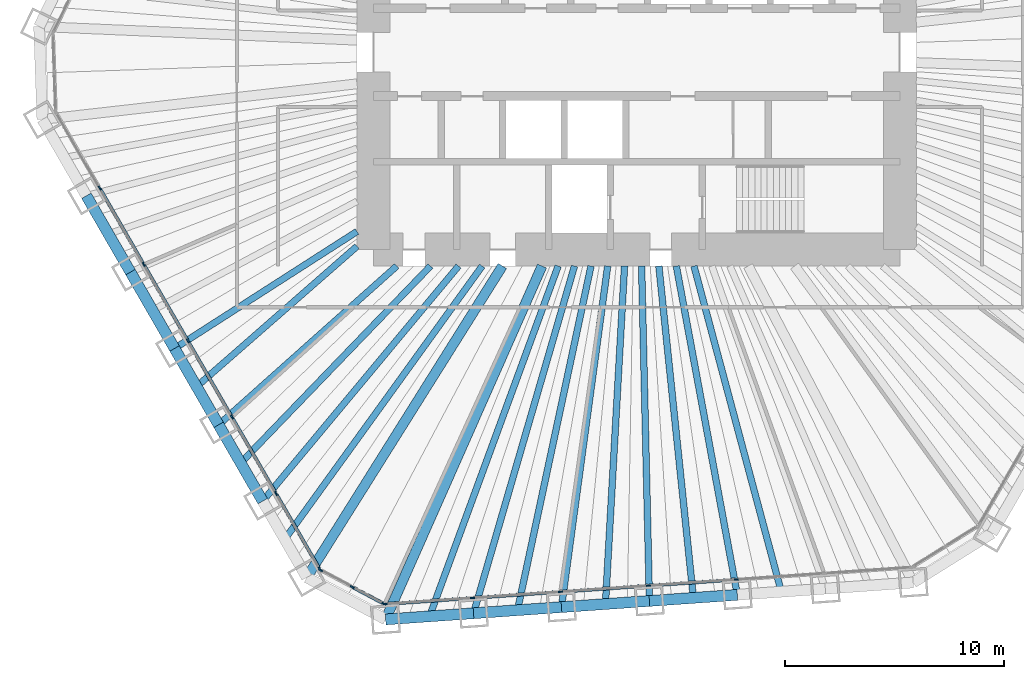
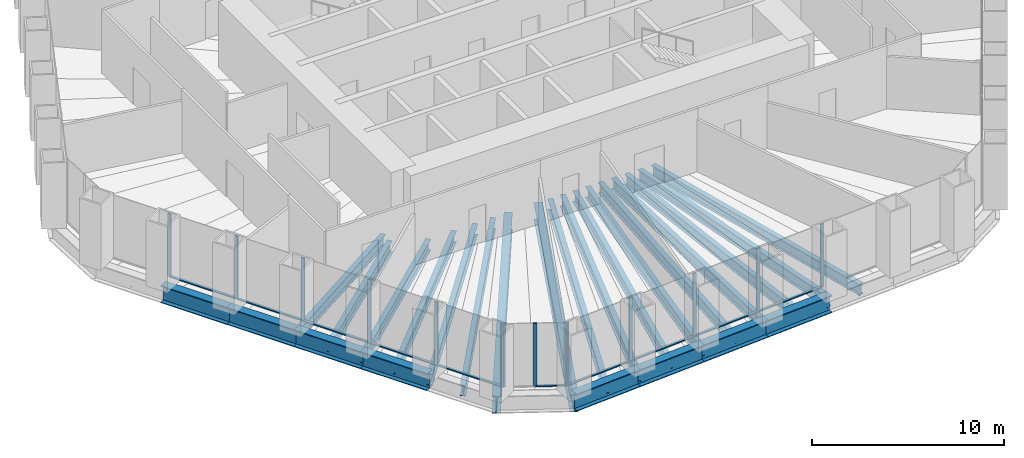
# One storey, part 2 of 13: 25 beams, 24 members, 3 elements without a shape of their own.
"""IFC4 building model written with IfcOpenShell, lengths in metres."""

from ifc_helpers import new_model, si_unit, direction, frame, origin, origin_2d, place, context, subcontext, project, spatial, rectangle, i_section, extrude, material, material_profile, profile_set, type_object, element, aggregate, save


model = new_model("IFC4")

# Units and contexts
model_context = context("Model", 3, precision=1e-05, world=origin(), true_north=direction((0.0, 1.0)))
body_context = subcontext(model_context, "Body", "Model", "MODEL_VIEW")
ifc_project = project(units=[si_unit("LENGTHUNIT", "METRE"), si_unit("AREAUNIT", "SQUARE_METRE"), si_unit("VOLUMEUNIT", "CUBIC_METRE"), si_unit("PLANEANGLEUNIT", "RADIAN"), si_unit("MASSUNIT", "GRAM", prefix="KILO")], contexts=[model_context])

# Site, building, storey
site_placement = place(None, origin())
site = spatial("IfcSite", under=ifc_project, at=site_placement, CompositionType="ELEMENT")
building_placement = place(site_placement, origin())
building = spatial("IfcBuilding", under=site, at=building_placement, Name="Qingtian Harvest Tower", CompositionType="ELEMENT")
storey_placement = place(building_placement, frame((0.0, 0.0, 128.199951171875)))
storey = spatial("IfcBuildingStorey", under=building, at=storey_placement, Name="L26", CompositionType="ELEMENT", Elevation=128.199951171875)

# Beams
ifc_material_1 = material(Name="Steel SM570MC", Category="steel")
ifc_material_profile_1 = material_profile(ifc_material_1, i_section(OverallWidth=0.449951171875, OverallDepth=1.10009765625, WebThickness=0.02197265625, FlangeThickness=0.044921875, at=origin_2d()), Name="H1100x450x22x45")
ifc_profile_set_1 = profile_set([ifc_material_profile_1], Name="Steel SM570MC")
beam_type_1 = type_object("IfcBeamType", Name="Corner floor beam FB8 H1100x450x22x45", PredefinedType="BEAM", material=ifc_profile_set_1)
beam_1_placement = place(storey_placement, frame((-11.445556640625, -25.861328125, -0.719970703125), z_axis=(0.404705702755, 0.914446988161, 0.0), x_axis=(-0.914446988161, 0.404705702755, 0.0)))
element("IfcBeam", 1, at=beam_1_placement, inside=storey, type_object=beam_type_1, Name="Floor beam FB8 S6", PredefinedType="BEAM", context=body_context, shape_type="SweptSolid", body=[
    extrude(i_section(OverallWidth=0.449951171875, OverallDepth=1.10009765625, WebThickness=0.02197265625, FlangeThickness=0.044921875, at=origin_2d()), origin(), (0.0, 0.0, 1.0), 17.61865234375),
])
beam_2_placement = place(storey_placement, frame((-15.039794921875, -23.950439453125, -0.719970703125), z_axis=(0.531797274443, 0.846871689747, 0.0), x_axis=(-0.846871689747, 0.531797274443, 0.0)))
element("IfcBeam", 2, at=beam_2_placement, inside=storey, type_object=beam_type_1, Name="Floor beam FB8 SW0", PredefinedType="BEAM", context=body_context, shape_type="SweptSolid", body=[
    extrude(i_section(OverallWidth=0.449951171875, OverallDepth=1.10009765625, WebThickness=0.02197265625, FlangeThickness=0.044921875, at=origin_2d()), origin(), (0.0, 0.0, 1.0), 16.76806640625),
])
ifc_material_2 = material(Name="Steel SN490B", Category="steel")
ifc_material_profile_2 = material_profile(ifc_material_2, i_section(OverallWidth=0.300048828125, OverallDepth=0.75, WebThickness=0.013916015625, FlangeThickness=0.02490234375, at=origin_2d()), Name="H750x300x14x25")
ifc_profile_set_2 = profile_set([ifc_material_profile_2], Name="Steel SN490B")
beam_type_2 = type_object("IfcBeamType", Name="Floor beam FB12 H750x300x14x25", PredefinedType="BEAM", material=ifc_profile_set_2)
beam_3_placement = place(storey_placement, frame((-7.436279296875, -25.5810546875, -0.544921875), z_axis=(0.279142362954, 0.960249728562, 0.0), x_axis=(-0.960249728562, 0.279142362954, 0.0)))
element("IfcBeam", 3, at=beam_3_placement, inside=storey, type_object=beam_type_2, Name="Floor beam FB12 S5", PredefinedType="BEAM", context=body_context, shape_type="SweptSolid", body=[
    extrude(i_section(OverallWidth=0.300048828125, OverallDepth=0.75, WebThickness=0.013916015625, FlangeThickness=0.02490234375, at=origin_2d()), origin(), (0.0, 0.0, 1.0), 16.486328125),
])
ifc_material_3 = material(Name="Steel SN490B", Category="steel")
ifc_material_profile_3 = material_profile(ifc_material_3, i_section(OverallWidth=0.300048828125, OverallDepth=0.699951171875, WebThickness=0.012939453125, FlangeThickness=0.02392578125, at=origin_2d()), Name="H700x300x13x24")
ifc_profile_set_3 = profile_set([ifc_material_profile_3], Name="Steel SN490B")
beam_type_3 = type_object("IfcBeamType", Name="Floor beam FB2 H700x300x13x24", PredefinedType="BEAM", material=ifc_profile_set_3)
beam_4_placement = place(storey_placement, frame((4.591552734375, -24.739990234375, -0.52001953125), z_axis=(-0.182473442032, 0.983210782565, 0.0), x_axis=(-0.983210782565, -0.182473442032, 0.0)))
element("IfcBeam", 4, at=beam_4_placement, inside=storey, type_object=beam_type_3, Name="Floor beam FB2 S2", PredefinedType="BEAM", context=body_context, shape_type="SweptSolid", body=[
    extrude(i_section(OverallWidth=0.300048828125, OverallDepth=0.699951171875, WebThickness=0.012939453125, FlangeThickness=0.02392578125, at=origin_2d()), origin(), (0.0, 0.0, 1.0), 15.245849609375),
])
beam_5_placement = place(storey_placement, frame((0.582275390625, -25.020263671875, -0.52001953125), z_axis=(-0.023272189962, 0.999729165912, 0.0), x_axis=(-0.999729165912, -0.023272189962, 0.0)))
element("IfcBeam", 5, at=beam_5_placement, inside=storey, type_object=beam_type_3, Name="Floor beam FB2 S3", PredefinedType="BEAM", context=body_context, shape_type="SweptSolid", body=[
    extrude(i_section(OverallWidth=0.300048828125, OverallDepth=0.699951171875, WebThickness=0.012939453125, FlangeThickness=0.02392578125, at=origin_2d()), origin(), (0.0, 0.0, 1.0), 15.2744140625),
])
beam_6_placement = place(storey_placement, frame((-3.427001953125, -25.30078125, -0.52001953125), z_axis=(0.134230066005, 0.990950195207, 0.0), x_axis=(-0.990950195207, 0.134230066005, 0.0)))
element("IfcBeam", 6, at=beam_6_placement, inside=storey, type_object=beam_type_3, Name="Floor beam FB2 S4", PredefinedType="BEAM", context=body_context, shape_type="SweptSolid", body=[
    extrude(i_section(OverallWidth=0.300048828125, OverallDepth=0.699951171875, WebThickness=0.012939453125, FlangeThickness=0.02392578125, at=origin_2d()), origin(), (0.0, 0.0, 1.0), 15.69287109375),
])
beam_7_placement = place(storey_placement, frame((-17.04931640625, -20.4697265625, -0.52001953125), z_axis=(0.639988150605, 0.768384778015, 0.0), x_axis=(-0.768384778015, 0.639988150605, 0.0)))
element("IfcBeam", 7, at=beam_7_placement, inside=storey, type_object=beam_type_3, Name="Floor beam FB2 SW1", PredefinedType="BEAM", context=body_context, shape_type="SweptSolid", body=[
    extrude(i_section(OverallWidth=0.300048828125, OverallDepth=0.699951171875, WebThickness=0.012939453125, FlangeThickness=0.02392578125, at=origin_2d()), origin(), (0.0, 0.0, 1.0), 13.950927734375),
])
beam_8_placement = place(storey_placement, frame((-19.058837890625, -16.989013671875, -0.52001953125), z_axis=(0.746483707908, 0.665403692376, 0.0), x_axis=(-0.665403692376, 0.746483707908, 0.0)))
element("IfcBeam", 8, at=beam_8_placement, inside=storey, type_object=beam_type_3, Name="Floor beam FB2 SW2", PredefinedType="BEAM", context=body_context, shape_type="SweptSolid", body=[
    extrude(i_section(OverallWidth=0.300048828125, OverallDepth=0.699951171875, WebThickness=0.012939453125, FlangeThickness=0.02392578125, at=origin_2d()), origin(), (0.0, 0.0, 1.0), 10.879150390625),
])
beam_9_placement = place(storey_placement, frame((-21.068359375, -13.508544921875, -0.52001953125), z_axis=(0.841823295753, 0.539753220211, 0.0), x_axis=(-0.539753220211, 0.841823295753, 0.0)))
element("IfcBeam", 9, at=beam_9_placement, inside=storey, type_object=beam_type_3, Name="Floor beam FB2 SW3", PredefinedType="BEAM", context=body_context, shape_type="SweptSolid", body=[
    extrude(i_section(OverallWidth=0.300048828125, OverallDepth=0.699951171875, WebThickness=0.012939453125, FlangeThickness=0.02392578125, at=origin_2d()), origin(), (0.0, 0.0, 1.0), 9.88134765625),
])
ifc_material_4 = material(Name="Steel SN490B", Category="steel")
ifc_material_profile_4 = material_profile(ifc_material_4, i_section(OverallWidth=0.300048828125, OverallDepth=0.699951171875, WebThickness=0.012939453125, FlangeThickness=0.02392578125, at=origin_2d()), Name="H700x300x13x24")
ifc_profile_set_4 = profile_set([ifc_material_profile_4], Name="Steel SN490B")
beam_type_4 = type_object("IfcBeamType", Name="Floor joist J2 H700x300x13x24", PredefinedType="JOIST", material=ifc_profile_set_4)
beam_10_placement = place(storey_placement, frame((6.59619140625, -24.599853515625, -0.52001953125), z_axis=(-0.258996688759, 0.965878209306, 0.0), x_axis=(-0.965878209306, -0.258996688759, 0.0)))
element("IfcBeam", 10, at=beam_10_placement, inside=storey, type_object=beam_type_4, Name="Floor joist J2 S1", PredefinedType="JOIST", context=body_context, shape_type="SweptSolid", body=[
    extrude(i_section(OverallWidth=0.300048828125, OverallDepth=0.699951171875, WebThickness=0.012939453125, FlangeThickness=0.02392578125, at=origin_2d()), origin(), (0.0, 0.0, 1.0), 15.37451171875),
])
beam_11_placement = place(storey_placement, frame((2.5869140625, -24.880126953125, -0.52001953125), z_axis=(-0.103423163361, 0.994637446148, 0.0), x_axis=(-0.994637446148, -0.103423163361, 0.0)))
element("IfcBeam", 11, at=beam_11_placement, inside=storey, type_object=beam_type_4, Name="Floor joist J2 S2", PredefinedType="JOIST", context=body_context, shape_type="SweptSolid", body=[
    extrude(i_section(OverallWidth=0.300048828125, OverallDepth=0.699951171875, WebThickness=0.012939453125, FlangeThickness=0.02392578125, at=origin_2d()), origin(), (0.0, 0.0, 1.0), 15.211669921875),
])
beam_12_placement = place(storey_placement, frame((-1.42236328125, -25.160400390625, -0.52001953125), z_axis=(0.05643626267, 0.998406204035, 0.0), x_axis=(-0.998406204035, 0.05643626267, 0.0)))
element("IfcBeam", 12, at=beam_12_placement, inside=storey, type_object=beam_type_4, Name="Floor joist J2 S3", PredefinedType="JOIST", context=body_context, shape_type="SweptSolid", body=[
    extrude(i_section(OverallWidth=0.300048828125, OverallDepth=0.699951171875, WebThickness=0.012939453125, FlangeThickness=0.02392578125, at=origin_2d()), origin(), (0.0, 0.0, 1.0), 15.43505859375),
])
beam_13_placement = place(storey_placement, frame((-5.431640625, -25.44091796875, -0.52001953125), z_axis=(0.208799533611, 0.977958462699, 0.0), x_axis=(-0.977958462699, 0.208799533611, 0.0)))
element("IfcBeam", 13, at=beam_13_placement, inside=storey, type_object=beam_type_4, Name="Floor joist J2 S4", PredefinedType="JOIST", context=body_context, shape_type="SweptSolid", body=[
    extrude(i_section(OverallWidth=0.300048828125, OverallDepth=0.699951171875, WebThickness=0.012939453125, FlangeThickness=0.02392578125, at=origin_2d()), origin(), (0.0, 0.0, 1.0), 16.044677734375),
])
beam_14_placement = place(storey_placement, frame((-9.44091796875, -25.72119140625, -0.52001953125), z_axis=(0.344563279886, 0.938763093732, 0.0), x_axis=(-0.938763093732, 0.344563279886, 0.0)))
element("IfcBeam", 14, at=beam_14_placement, inside=storey, type_object=beam_type_4, Name="Floor joist J2 S5", PredefinedType="JOIST", context=body_context, shape_type="SweptSolid", body=[
    extrude(i_section(OverallWidth=0.300048828125, OverallDepth=0.699951171875, WebThickness=0.012939453125, FlangeThickness=0.02392578125, at=origin_2d()), origin(), (0.0, 0.0, 1.0), 17.012939453125),
])
beam_15_placement = place(storey_placement, frame((-16.04443359375, -22.2099609375, -0.52001953125), z_axis=(0.585581016658, 0.810613886465, 0.0), x_axis=(-0.810613886465, 0.585581016658, 0.0)))
element("IfcBeam", 15, at=beam_15_placement, inside=storey, type_object=beam_type_4, Name="Floor joist J2 SW0", PredefinedType="JOIST", context=body_context, shape_type="SweptSolid", body=[
    extrude(i_section(OverallWidth=0.300048828125, OverallDepth=0.699951171875, WebThickness=0.012939453125, FlangeThickness=0.02392578125, at=origin_2d()), origin(), (0.0, 0.0, 1.0), 15.37109375),
])
beam_16_placement = place(storey_placement, frame((-18.053955078125, -18.7294921875, -0.52001953125), z_axis=(0.693999346894, 0.719975629108, 0.0), x_axis=(-0.719975629108, 0.693999346894, 0.0)))
element("IfcBeam", 16, at=beam_16_placement, inside=storey, type_object=beam_type_4, Name="Floor joist J2 SW1", PredefinedType="JOIST", context=body_context, shape_type="SweptSolid", body=[
    extrude(i_section(OverallWidth=0.300048828125, OverallDepth=0.699951171875, WebThickness=0.012939453125, FlangeThickness=0.02392578125, at=origin_2d()), origin(), (0.0, 0.0, 1.0), 12.471923828125),
])
beam_17_placement = place(storey_placement, frame((-20.063720703125, -15.248779296875, -0.52001953125), z_axis=(0.752618713562, 0.658456583228, 0.0), x_axis=(-0.658456583228, 0.752618713562, 0.0)))
element("IfcBeam", 17, at=beam_17_placement, inside=storey, type_object=beam_type_4, Name="Floor joist J2 SW2", PredefinedType="JOIST", context=body_context, shape_type="SweptSolid", body=[
    extrude(i_section(OverallWidth=0.300048828125, OverallDepth=0.699951171875, WebThickness=0.012939453125, FlangeThickness=0.02392578125, at=origin_2d()), origin(), (0.0, 0.0, 1.0), 9.7177734375),
])

# Curtain wall, members
ifc_material_5 = material(Name="Bronze-anodised aluminium curtain wall", Category="aluminium")
curtain_wall_type = type_object("IfcCurtainWallType", Name="Curtain wall CW4 office", PredefinedType="USERDEFINED", material=ifc_material_5)
curtain_wall_1_placement = place(storey_placement, origin())
curtain_wall_1 = element("IfcCurtainWall", 18, at=curtain_wall_1_placement, inside=storey, type_object=curtain_wall_type, Name="Curtain wall CW4 L26 S0-5", ObjectType="RECESSED CURTAIN WALL", PredefinedType="USERDEFINED")
ifc_material_6 = material(Name="Bronze-anodised aluminium mullion", Category="aluminium")
ifc_material_profile_5 = material_profile(ifc_material_6, rectangle(XDim=0.06494140625, YDim=0.199951171875, at=origin_2d()), Name="AL 65x200")
ifc_profile_set_5 = profile_set([ifc_material_profile_5], Name="Bronze-anodised aluminium mullion")
member_type_1 = type_object("IfcMemberType", Name="Mullion CWM 65x200", PredefinedType="MULLION", material=ifc_profile_set_5)
member_1_placement = place(storey_placement, frame((4.542724609375, -24.041748046875, 0.0), z_axis=(0.0, 0.0, 1.0), x_axis=(0.069756473744, -0.99756405026, 0.0)))
member_1 = element("IfcMember", 19, at=member_1_placement, type_object=member_type_1, Name="CW4 mullion 3", PredefinedType="MULLION", context=body_context, shape_type="SweptSolid", body=[
    extrude(rectangle(XDim=0.06494140625, YDim=0.199951171875, at=origin_2d()), origin(), (0.0, 0.0, 1.0), 4.030029296875),
])
member_2_placement = place(storey_placement, frame((0.533447265625, -24.322021484375, 0.0), z_axis=(0.0, 0.0, 1.0), x_axis=(0.069756473744, -0.99756405026, 0.0)))
member_2 = element("IfcMember", 20, at=member_2_placement, type_object=member_type_1, Name="CW4 mullion 4", PredefinedType="MULLION", context=body_context, shape_type="SweptSolid", body=[
    extrude(rectangle(XDim=0.06494140625, YDim=0.199951171875, at=origin_2d()), origin(), (0.0, 0.0, 1.0), 4.030029296875),
])
member_3_placement = place(storey_placement, frame((-3.475830078125, -24.602294921875, 0.0), z_axis=(0.0, 0.0, 1.0), x_axis=(0.069756473744, -0.99756405026, 0.0)))
member_3 = element("IfcMember", 21, at=member_3_placement, type_object=member_type_1, Name="CW4 mullion 5", PredefinedType="MULLION", context=body_context, shape_type="SweptSolid", body=[
    extrude(rectangle(XDim=0.06494140625, YDim=0.199951171875, at=origin_2d()), origin(), (0.0, 0.0, 1.0), 4.030029296875),
])
member_4_placement = place(storey_placement, frame((-7.485107421875, -24.8828125, 0.0), z_axis=(0.0, 0.0, 1.0), x_axis=(0.069756473744, -0.99756405026, 0.0)))
member_4 = element("IfcMember", 22, at=member_4_placement, type_object=member_type_1, Name="CW4 mullion 6", PredefinedType="MULLION", context=body_context, shape_type="SweptSolid", body=[
    extrude(rectangle(XDim=0.06494140625, YDim=0.199951171875, at=origin_2d()), origin(), (0.0, 0.0, 1.0), 4.030029296875),
])
member_5_placement = place(storey_placement, frame((-11.4619140625, -25.160888671875, 0.0), z_axis=(0.0, 0.0, 1.0), x_axis=(0.069756473744, -0.99756405026, 0.0)))
member_5 = element("IfcMember", 23, at=member_5_placement, type_object=member_type_1, Name="CW4 mullion 7", PredefinedType="MULLION", context=body_context, shape_type="SweptSolid", body=[
    extrude(rectangle(XDim=0.06494140625, YDim=0.199951171875, at=origin_2d()), origin(), (0.0, 0.0, 1.0), 4.030029296875),
])

curtain_wall_2_placement = place(storey_placement, origin())
curtain_wall_2 = element("IfcCurtainWall", 24, at=curtain_wall_2_placement, inside=storey, type_object=curtain_wall_type, Name="Curtain wall CW4 L26 SC", ObjectType="RECESSED CURTAIN WALL", PredefinedType="USERDEFINED")
member_6_placement = place(storey_placement, frame((-11.523193359375, -25.14794921875, 0.0), z_axis=(0.0, 0.0, 1.0), x_axis=(-0.469471562786, -0.882947592859, 0.0)))
member_6 = element("IfcMember", 25, at=member_6_placement, type_object=member_type_1, Name="CW4 mullion 1", PredefinedType="MULLION", context=body_context, shape_type="SweptSolid", body=[
    extrude(rectangle(XDim=0.06494140625, YDim=0.199951171875, at=origin_2d()), origin(), (0.0, 0.0, 1.0), 4.030029296875),
])
member_7_placement = place(storey_placement, frame((-12.964111328125, -24.3818359375, 0.0), z_axis=(0.0, 0.0, 1.0), x_axis=(-0.469471562786, -0.882947592859, 0.0)))
member_7 = element("IfcMember", 26, at=member_7_placement, type_object=member_type_1, Name="CW4 mullion 2", PredefinedType="MULLION", context=body_context, shape_type="SweptSolid", body=[
    extrude(rectangle(XDim=0.06494140625, YDim=0.199951171875, at=origin_2d()), origin(), (0.0, 0.0, 1.0), 4.030029296875),
])
member_8_placement = place(storey_placement, frame((-14.40478515625, -23.61572265625, 0.0), z_axis=(0.0, 0.0, 1.0), x_axis=(-0.469471562786, -0.882947592859, 0.0)))
member_8 = element("IfcMember", 27, at=member_8_placement, type_object=member_type_1, Name="CW4 mullion 3", PredefinedType="MULLION", context=body_context, shape_type="SweptSolid", body=[
    extrude(rectangle(XDim=0.06494140625, YDim=0.199951171875, at=origin_2d()), origin(), (0.0, 0.0, 1.0), 4.030029296875),
])

curtain_wall_3_placement = place(storey_placement, origin())
curtain_wall_3 = element("IfcCurtainWall", 28, at=curtain_wall_3_placement, inside=storey, type_object=curtain_wall_type, Name="Curtain wall CW4 L26 SW0-5", ObjectType="RECESSED CURTAIN WALL", PredefinedType="USERDEFINED")
member_9_placement = place(storey_placement, frame((-14.44970703125, -23.572265625, 0.0), z_axis=(0.0, 0.0, 1.0), x_axis=(-0.866025403784, -0.5, 0.0)))
member_9 = element("IfcMember", 29, at=member_9_placement, type_object=member_type_1, Name="CW4 mullion 1", PredefinedType="MULLION", context=body_context, shape_type="SweptSolid", body=[
    extrude(rectangle(XDim=0.06494140625, YDim=0.199951171875, at=origin_2d()), origin(), (0.0, 0.0, 1.0), 4.030029296875),
])
member_10_placement = place(storey_placement, frame((-16.443115234375, -20.11962890625, 0.0), z_axis=(0.0, 0.0, 1.0), x_axis=(-0.866025403784, -0.5, 0.0)))
member_10 = element("IfcMember", 30, at=member_10_placement, type_object=member_type_1, Name="CW4 mullion 2", PredefinedType="MULLION", context=body_context, shape_type="SweptSolid", body=[
    extrude(rectangle(XDim=0.06494140625, YDim=0.199951171875, at=origin_2d()), origin(), (0.0, 0.0, 1.0), 4.030029296875),
])
member_11_placement = place(storey_placement, frame((-18.45263671875, -16.63916015625, 0.0), z_axis=(0.0, 0.0, 1.0), x_axis=(-0.866025403784, -0.5, 0.0)))
member_11 = element("IfcMember", 31, at=member_11_placement, type_object=member_type_1, Name="CW4 mullion 3", PredefinedType="MULLION", context=body_context, shape_type="SweptSolid", body=[
    extrude(rectangle(XDim=0.06494140625, YDim=0.199951171875, at=origin_2d()), origin(), (0.0, 0.0, 1.0), 4.030029296875),
])
member_12_placement = place(storey_placement, frame((-20.462158203125, -13.158447265625, 0.0), z_axis=(0.0, 0.0, 1.0), x_axis=(-0.866025403784, -0.5, 0.0)))
member_12 = element("IfcMember", 32, at=member_12_placement, type_object=member_type_1, Name="CW4 mullion 4", PredefinedType="MULLION", context=body_context, shape_type="SweptSolid", body=[
    extrude(rectangle(XDim=0.06494140625, YDim=0.199951171875, at=origin_2d()), origin(), (0.0, 0.0, 1.0), 4.030029296875),
])
member_13_placement = place(storey_placement, frame((-22.4716796875, -9.677978515625, 0.0), z_axis=(0.0, 0.0, 1.0), x_axis=(-0.866025403784, -0.5, 0.0)))
member_13 = element("IfcMember", 33, at=member_13_placement, type_object=member_type_1, Name="CW4 mullion 5", PredefinedType="MULLION", context=body_context, shape_type="SweptSolid", body=[
    extrude(rectangle(XDim=0.06494140625, YDim=0.199951171875, at=origin_2d()), origin(), (0.0, 0.0, 1.0), 4.030029296875),
])
member_14_placement = place(storey_placement, frame((-24.481201171875, -6.197265625, 0.0), z_axis=(0.0, 0.0, 1.0), x_axis=(-0.866025403784, -0.5, 0.0)))
member_14 = element("IfcMember", 34, at=member_14_placement, type_object=member_type_1, Name="CW4 mullion 6", PredefinedType="MULLION", context=body_context, shape_type="SweptSolid", body=[
    extrude(rectangle(XDim=0.06494140625, YDim=0.199951171875, at=origin_2d()), origin(), (0.0, 0.0, 1.0), 4.030029296875),
])

# Beams
ifc_material_7 = material(Name="Steel SM570MC", Category="steel")
ifc_material_profile_6 = material_profile(ifc_material_7, i_section(OverallWidth=0.5, OverallDepth=1.10009765625, WebThickness=0.02490234375, FlangeThickness=0.050048828125, at=origin_2d()), Name="H1100x500x25x50")
ifc_profile_set_6 = profile_set([ifc_material_profile_6], Name="Steel SM570MC")
beam_type_5 = type_object("IfcBeamType", Name="Spandrel beam SB2 H1100x500x25x50", PredefinedType="SPANDREL", material=ifc_profile_set_6)
for number, where, z_axis, x_axis, name in (
    (35, (4.591552734375, -24.739990234375, -0.550048828125), (-0.997565479251, -0.069736035208, 0.0), (0.069736035208, -0.997565479251, 0.0), "Spandrel SB2 S2"),
    (36, (0.582275390625, -25.020263671875, -0.550048828125), (-0.997561251588, -0.069796485086, 0.0), (0.069796485086, -0.997561251588, 0.0), "Spandrel SB2 S3"),
    (37, (-3.427001953125, -25.30078125, -0.550048828125), (-0.997565479251, -0.069736035208, 0.0), (0.069736035208, -0.997565479251, 0.0), "Spandrel SB2 S4"),
    (38, (-7.436279296875, -25.5810546875, -0.550048828125), (-0.997565479251, -0.069736035208, 0.0), (0.069736035208, -0.997565479251, 0.0), "Spandrel SB2 S5"),
    (39, (-17.04931640625, -20.4697265625, -0.550048828125), (-0.499987116613, 0.866032841884, 0.0), (-0.866032841884, -0.499987116613, 0.0), "Spandrel SB2 SW1"),
    (40, (-19.058837890625, -16.989013671875, -0.550048828125), (-0.500013420409, 0.866017655369, 0.0), (-0.866017655369, -0.500013420409, 0.0), "Spandrel SB2 SW2"),
    (41, (-21.068359375, -13.508544921875, -0.550048828125), (-0.499987116613, 0.866032841884, 0.0), (-0.866032841884, -0.499987116613, 0.0), "Spandrel SB2 SW3"),
    (42, (-23.077880859375, -10.02783203125, -0.550048828125), (-0.499987116613, 0.866032841884, 0.0), (-0.866032841884, -0.499987116613, 0.0), "Spandrel SB2 SW4"),
):
    element("IfcBeam", number, at=place(storey_placement, frame(where, z_axis=z_axis, x_axis=x_axis)), inside=storey, type_object=beam_type_5, Name=name, PredefinedType="SPANDREL", context=body_context, shape_type="SweptSolid", body=[
        extrude(i_section(OverallWidth=0.5, OverallDepth=1.10009765625, WebThickness=0.02490234375, FlangeThickness=0.050048828125, at=origin_2d()), origin(), (0.0, 0.0, 1.0), 4.01904296875),
    ])

# Member
ifc_material_8 = material(Name="Bronze-anodised aluminium transom", Category="aluminium")
ifc_material_profile_7 = material_profile(ifc_material_8, rectangle(XDim=0.14990234375, YDim=0.06494140625, at=origin_2d()), Name="AL 65x150")
ifc_profile_set_7 = profile_set([ifc_material_profile_7], Name="Bronze-anodised aluminium transom")
member_type_2 = type_object("IfcMemberType", Name="Transom CWT 65x150", PredefinedType="USERDEFINED", material=ifc_profile_set_7)
member_15_placement = place(storey_placement, frame((4.51025390625, -24.0439453125, 0.032470703125), z_axis=(-0.997562922571, -0.069772598571, 0.0), x_axis=(0.069772598571, -0.997562922571, 0.0)))
member_15 = element("IfcMember", 43, at=member_15_placement, type_object=member_type_2, Name="CW4 transom 3.1", ObjectType="TRANSOM", PredefinedType="USERDEFINED", context=body_context, shape_type="SweptSolid", body=[
    extrude(rectangle(XDim=0.14990234375, YDim=0.06494140625, at=origin_2d()), origin(), (0.0, 0.0, 1.0), 3.953857421875),
])

member_16_placement = place(storey_placement, frame((0.5009765625, -24.32421875, 0.032470703125), z_axis=(-0.997562922571, -0.069772598571, 0.0), x_axis=(0.069772598571, -0.997562922571, 0.0)))
member_16 = element("IfcMember", 44, at=member_16_placement, type_object=member_type_2, Name="CW4 transom 4.1", ObjectType="TRANSOM", PredefinedType="USERDEFINED", context=body_context, shape_type="SweptSolid", body=[
    extrude(rectangle(XDim=0.14990234375, YDim=0.06494140625, at=origin_2d()), origin(), (0.0, 0.0, 1.0), 3.953857421875),
])

member_17_placement = place(storey_placement, frame((-3.50830078125, -24.604736328125, 0.032470703125), z_axis=(-0.997567218353, -0.069711153102, 0.0), x_axis=(0.069711153102, -0.997567218353, 0.0)))
member_17 = element("IfcMember", 45, at=member_17_placement, type_object=member_type_2, Name="CW4 transom 5.1", ObjectType="TRANSOM", PredefinedType="USERDEFINED", context=body_context, shape_type="SweptSolid", body=[
    extrude(rectangle(XDim=0.14990234375, YDim=0.06494140625, at=origin_2d()), origin(), (0.0, 0.0, 1.0), 3.953857421875),
])

member_18_placement = place(storey_placement, frame((-7.517578125, -24.885009765625, 0.032470703125), z_axis=(-0.997561915105, -0.069787001175, 0.0), x_axis=(0.069787001175, -0.997561915105, 0.0)))
member_18 = element("IfcMember", 46, at=member_18_placement, type_object=member_type_2, Name="CW4 transom 6.1", ObjectType="TRANSOM", PredefinedType="USERDEFINED", context=body_context, shape_type="SweptSolid", body=[
    extrude(rectangle(XDim=0.14990234375, YDim=0.06494140625, at=origin_2d()), origin(), (0.0, 0.0, 1.0), 3.921630859375),
])

aggregate(curtain_wall_1, [member_1, member_2, member_3, member_4, member_5, member_15, member_16, member_17, member_18])

member_19_placement = place(storey_placement, frame((-11.5517578125, -25.132568359375, 0.032470703125), z_axis=(-0.882960338349, 0.46944759122, 0.0), x_axis=(-0.46944759122, -0.882960338349, 0.0)))
member_19 = element("IfcMember", 47, at=member_19_placement, type_object=member_type_2, Name="CW4 transom 1.1", ObjectType="TRANSOM", PredefinedType="USERDEFINED", context=body_context, shape_type="SweptSolid", body=[
    extrude(rectangle(XDim=0.14990234375, YDim=0.06494140625, at=origin_2d()), origin(), (0.0, 0.0, 1.0), 1.56689453125),
])

aggregate(curtain_wall_2, [member_6, member_7, member_8, member_19])

member_20_placement = place(storey_placement, frame((-14.466064453125, -23.5439453125, 0.032470703125), z_axis=(-0.500002696854, 0.866023846749, 0.0), x_axis=(-0.866023846749, -0.500002696854, 0.0)))
member_20 = element("IfcMember", 48, at=member_20_placement, type_object=member_type_2, Name="CW4 transom 1.1", ObjectType="TRANSOM", PredefinedType="USERDEFINED", context=body_context, shape_type="SweptSolid", body=[
    extrude(rectangle(XDim=0.14990234375, YDim=0.06494140625, at=origin_2d()), origin(), (0.0, 0.0, 1.0), 3.92138671875),
])

member_21_placement = place(storey_placement, frame((-16.459228515625, -20.091552734375, 0.032470703125), z_axis=(-0.500003941941, 0.866023127892, 0.0), x_axis=(-0.866023127892, -0.500003941941, 0.0)))
member_21 = element("IfcMember", 49, at=member_21_placement, type_object=member_type_2, Name="CW4 transom 2.1", ObjectType="TRANSOM", PredefinedType="USERDEFINED", context=body_context, shape_type="SweptSolid", body=[
    extrude(rectangle(XDim=0.14990234375, YDim=0.06494140625, at=origin_2d()), origin(), (0.0, 0.0, 1.0), 3.9541015625),
])

member_22_placement = place(storey_placement, frame((-18.468994140625, -16.611083984375, 0.032470703125), z_axis=(-0.49993089783, 0.866065296265, 0.0), x_axis=(-0.866065296265, -0.49993089783, 0.0)))
member_22 = element("IfcMember", 50, at=member_22_placement, type_object=member_type_2, Name="CW4 transom 3.1", ObjectType="TRANSOM", PredefinedType="USERDEFINED", context=body_context, shape_type="SweptSolid", body=[
    extrude(rectangle(XDim=0.14990234375, YDim=0.06494140625, at=origin_2d()), origin(), (0.0, 0.0, 1.0), 3.9541015625),
])

member_23_placement = place(storey_placement, frame((-20.478515625, -13.13037109375, 0.032470703125), z_axis=(-0.500003941941, 0.866023127892, 0.0), x_axis=(-0.866023127892, -0.500003941941, 0.0)))
member_23 = element("IfcMember", 51, at=member_23_placement, type_object=member_type_2, Name="CW4 transom 4.1", ObjectType="TRANSOM", PredefinedType="USERDEFINED", context=body_context, shape_type="SweptSolid", body=[
    extrude(rectangle(XDim=0.14990234375, YDim=0.06494140625, at=origin_2d()), origin(), (0.0, 0.0, 1.0), 3.9541015625),
])

member_24_placement = place(storey_placement, frame((-22.488037109375, -9.649658203125, 0.032470703125), z_axis=(-0.500003941941, 0.866023127892, 0.0), x_axis=(-0.866023127892, -0.500003941941, 0.0)))
member_24 = element("IfcMember", 52, at=member_24_placement, type_object=member_type_2, Name="CW4 transom 5.1", ObjectType="TRANSOM", PredefinedType="USERDEFINED", context=body_context, shape_type="SweptSolid", body=[
    extrude(rectangle(XDim=0.14990234375, YDim=0.06494140625, at=origin_2d()), origin(), (0.0, 0.0, 1.0), 3.9541015625),
])

aggregate(curtain_wall_3, [member_9, member_10, member_11, member_12, member_13, member_14, member_20, member_21, member_22, member_23, member_24])

save(model, "model.ifc")
